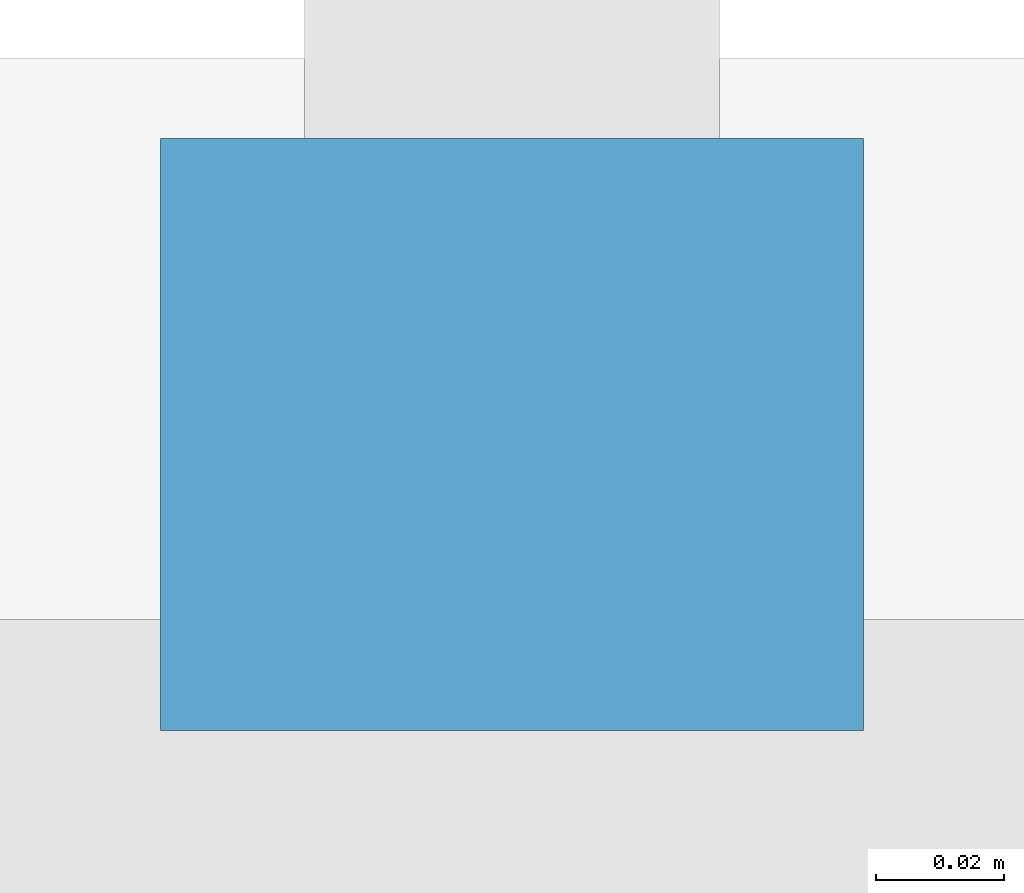
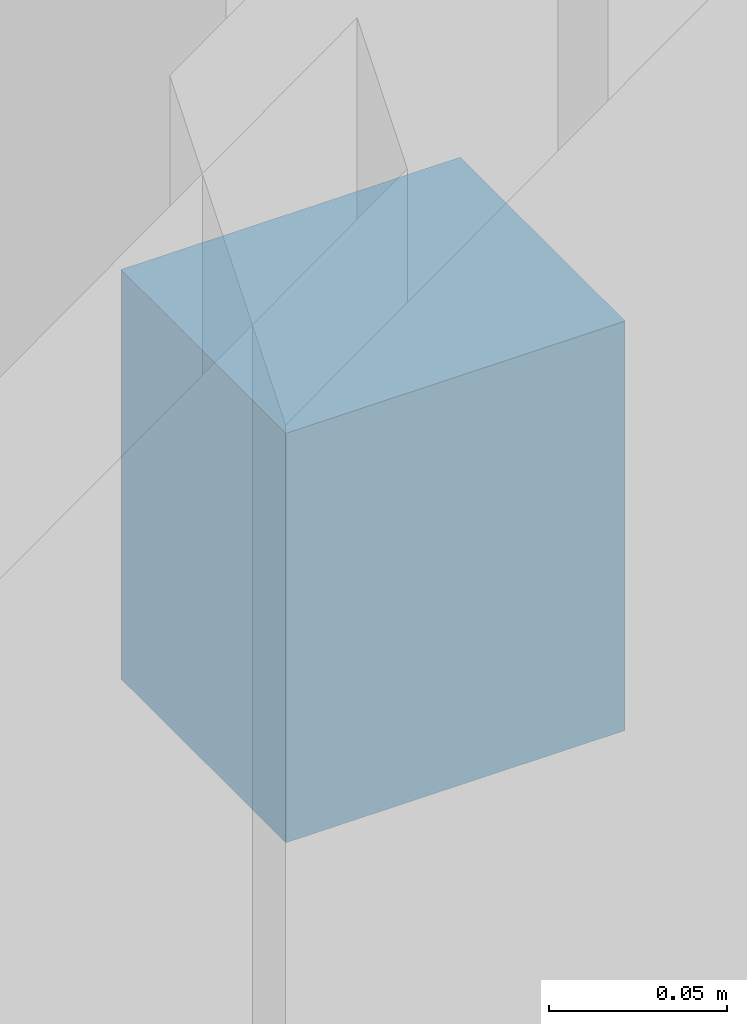
# One storey, part 13 of 15: 1 discrete accessory.
"""IFC4 building model written with IfcOpenShell, lengths in metres."""

from ifc_helpers import new_model, si_unit, direction, frame, origin, place, context, subcontext, project, spatial, polyline, outline, extrude, material, type_object, element, save


model = new_model("IFC4")

# Units and contexts
model_context = context("Model", 3, precision=1e-05, world=origin(), true_north=direction((0.0, 1.0)))
body_context = subcontext(model_context, "Body", "Model", "MODEL_VIEW")
ifc_project = project(units=[si_unit("LENGTHUNIT", "METRE"), si_unit("AREAUNIT", "SQUARE_METRE"), si_unit("VOLUMEUNIT", "CUBIC_METRE"), si_unit("PLANEANGLEUNIT", "RADIAN"), si_unit("MASSUNIT", "GRAM", prefix="KILO")], contexts=[model_context])

# Site, building, storey
site_placement = place(None, origin())
site = spatial("IfcSite", under=ifc_project, at=site_placement, CompositionType="ELEMENT")
building_placement = place(site_placement, origin())
building = spatial("IfcBuilding", under=site, at=building_placement, Name="Qalmaran Belvedere Hotel", CompositionType="ELEMENT")
storey_placement = place(building_placement, frame((0.0, 0.0, 231.89990234375)))
storey = spatial("IfcBuildingStorey", under=building, at=storey_placement, Name="L59", CompositionType="ELEMENT", Elevation=231.89990234375)

# Discrete accessory
ifc_material = material(Name="Stainless Steel 1.4401", Category="steel")
discrete_accessory_type = type_object("IfcDiscreteAccessoryType", Name="BRK-FIN-SS316", PredefinedType="BRACKET", material=ifc_material)
discrete_accessory_placement = place(storey_placement, frame((0.0, 0.0, 1.580078125)))
element("IfcDiscreteAccessory", 1, at=discrete_accessory_placement, inside=storey, type_object=discrete_accessory_type, Name="L59 Fin Bracket 1", PredefinedType="BRACKET", context=body_context, shape_type="SweptSolid", body=[
    extrude(outline(polyline([(23.429931640625, 41.39501953125), (23.429931640625, 41.487548828125), (23.320068359375, 41.487548828125), (23.320068359375, 41.39501953125), (23.429931640625, 41.39501953125)])), origin(), (0.0, 0.0, 1.0), 0.14013671875),
])

save(model, "model.ifc")
